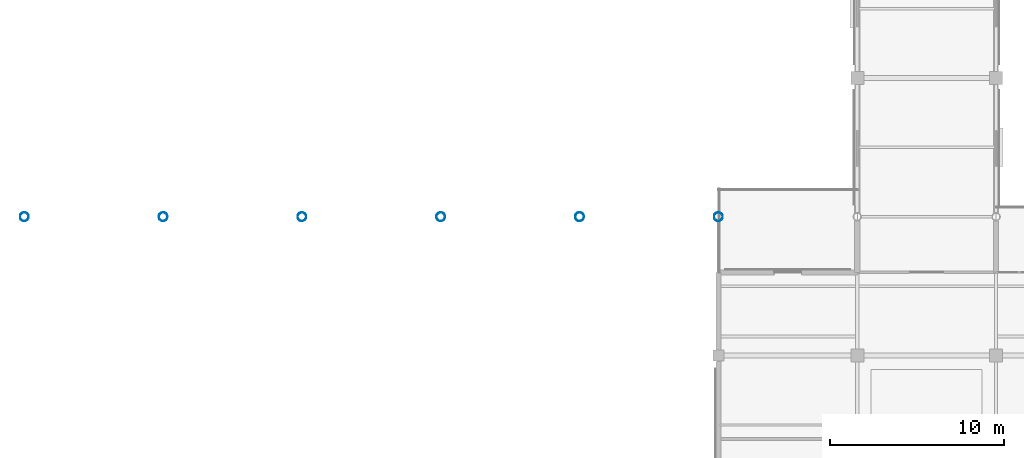
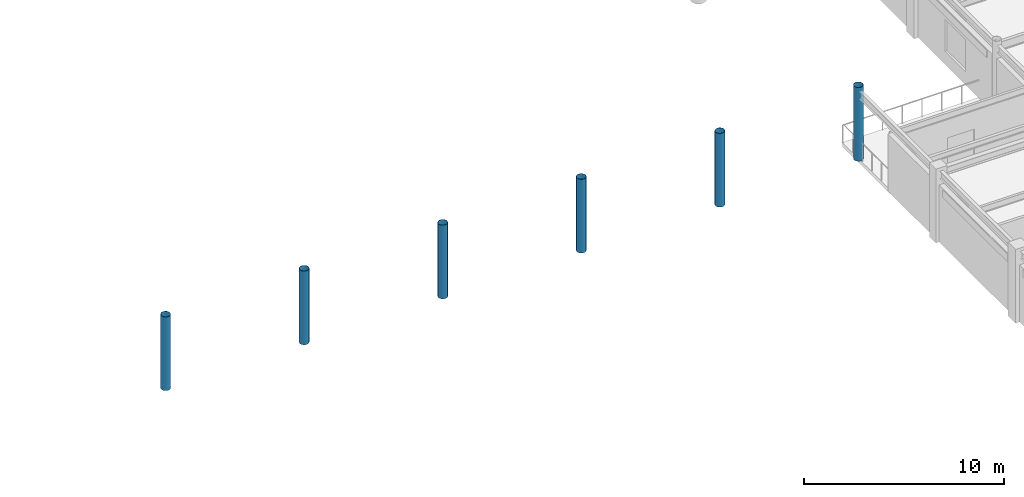
# One storey, part 2 of 75: 6 columns.
"""IFC4 building model written with IfcOpenShell, lengths in metres."""

from ifc_helpers import new_model, si_unit, direction, frame, origin, origin_2d, place, context, subcontext, project, spatial, hollow_circle, extrude, material, material_profile, profile_set, type_object, element, save


model = new_model("IFC4")

# Units and contexts
model_context = context("Model", 3, precision=1e-05, world=origin(), true_north=direction((0.0, 1.0)))
body_context = subcontext(model_context, "Body", "Model", "MODEL_VIEW")
ifc_project = project(units=[si_unit("LENGTHUNIT", "METRE"), si_unit("AREAUNIT", "SQUARE_METRE"), si_unit("VOLUMEUNIT", "CUBIC_METRE"), si_unit("PLANEANGLEUNIT", "RADIAN"), si_unit("MASSUNIT", "GRAM", prefix="KILO")], contexts=[model_context])

# Site, building, storey
site_placement = place(None, origin())
site = spatial("IfcSite", under=ifc_project, at=site_placement, CompositionType="ELEMENT")
building_placement = place(site_placement, origin())
building = spatial("IfcBuilding", under=site, at=building_placement, Name="Solmirada Galleria", CompositionType="ELEMENT")
storey_placement = place(building_placement, frame((0.0, 0.0, 19.39990234375)))
storey = spatial("IfcBuildingStorey", under=building, at=storey_placement, Name="L04", CompositionType="ELEMENT", Elevation=19.39990234375)

# Columns
ifc_material = material(Name="Steel S355 / ASTM A500 Grade C", Category="steel")
ifc_material_profile = material_profile(ifc_material, hollow_circle(Radius=0.25390625, WallThickness=0.01171875, at=origin_2d()), Name="HSS20.000X0.500")
ifc_profile_set = profile_set([ifc_material_profile], Name="Steel S355 / ASTM A500 Grade C")
column_type = type_object("IfcColumnType", Name="COL-CHS20", PredefinedType="COLUMN", material=ifc_profile_set)
for number, where, z_axis, x_axis, name in (
    (1, (40.0, 32.0, 0.0), (0.0, 0.0, 1.0), (1.0, 0.0, 0.0), "Structural column L04-0034"),
    (2, (48.0, 32.0, 0.0), (0.0, 0.0, 1.0), (1.0, 0.0, 0.0), "Structural column L04-0097"),
    (3, (56.0, 32.0, 0.0), (0.0, 0.0, 1.0), (1.0, 0.0, 0.0), "Structural column L04-0164"),
    (4, (64.0, 32.0, 0.0), (0.0, 0.0, 1.0), (1.0, 0.0, 0.0), "Structural column L04-0228"),
    (5, (72.0, 32.0, 0.0), (0.0, 0.0, 1.0), (1.0, 0.0, 0.0), "Structural column L04-0295"),
    (6, (80.0, 32.0, 0.0), (0.0, 0.0, 1.0), (1.0, 0.0, 0.0), "Structural column L04-0381"),
):
    element("IfcColumn", number, at=place(storey_placement, frame(where, z_axis=z_axis, x_axis=x_axis)), inside=storey, type_object=column_type, Name=name, PredefinedType="COLUMN", context=body_context, shape_type="SweptSolid", body=[
        extrude(hollow_circle(Radius=0.25390625, WallThickness=0.01171875, at=origin_2d()), origin(), (0.0, 0.0, 1.0), 4.5),
    ])

save(model, "model.ifc")
